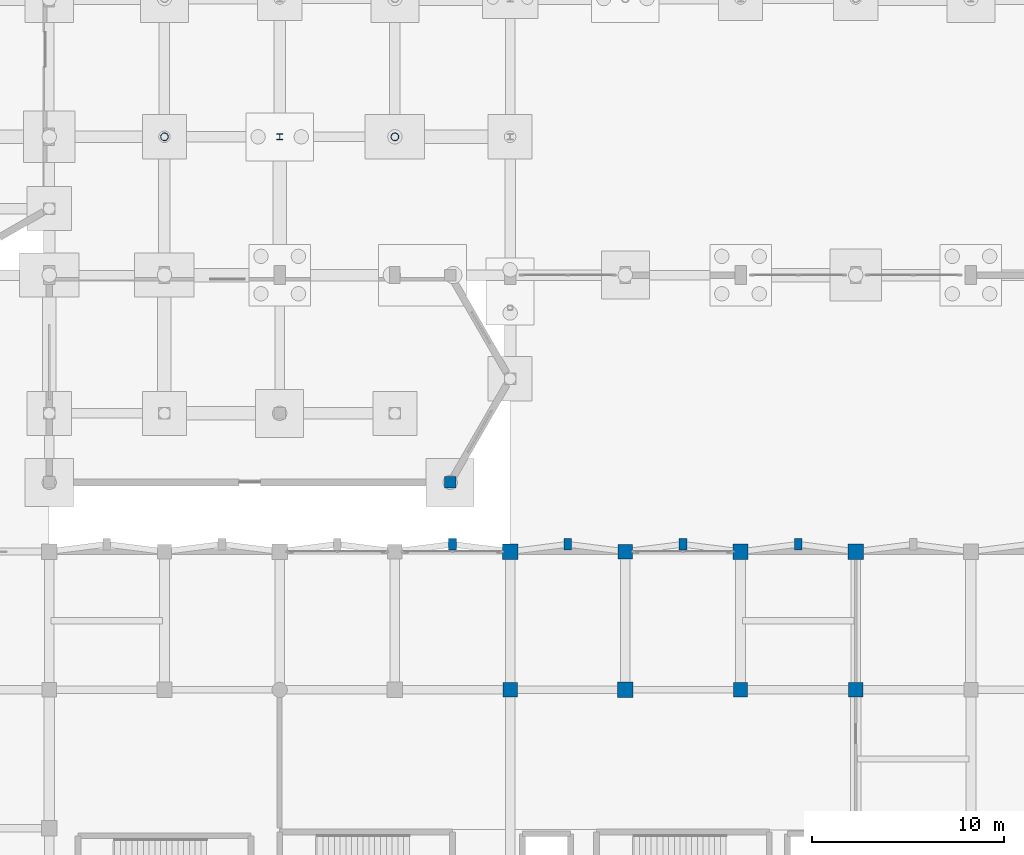
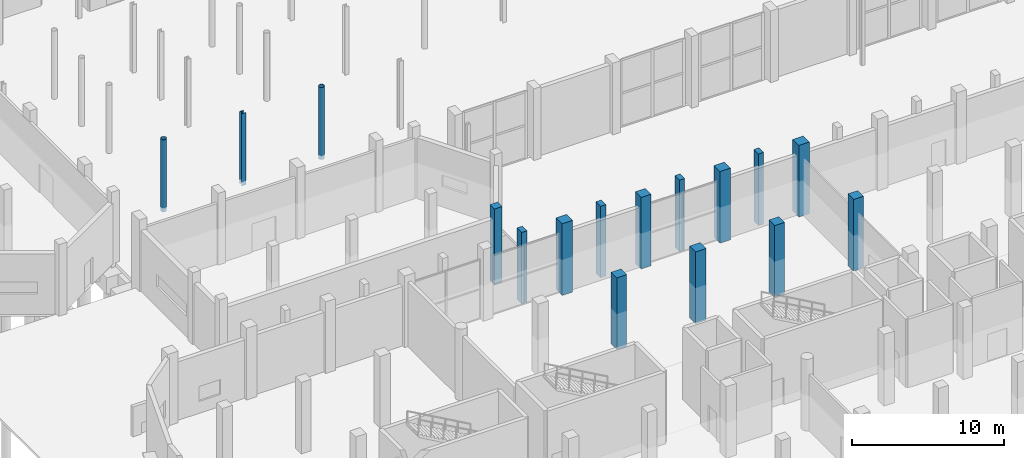
# One storey, part 15 of 103: 16 columns.
"""IFC4 building model written with IfcOpenShell, lengths in metres."""

from ifc_helpers import new_model, si_unit, direction, frame, origin, origin_2d, place, context, subcontext, project, spatial, rectangle, hollow_circle, i_section, extrude, material, material_profile, profile_set, type_object, element, save


model = new_model("IFC4")

# Units and contexts
model_context = context("Model", 3, precision=1e-05, world=origin(), true_north=direction((0.0, 1.0)))
body_context = subcontext(model_context, "Body", "Model", "MODEL_VIEW")
ifc_project = project(units=[si_unit("LENGTHUNIT", "METRE"), si_unit("AREAUNIT", "SQUARE_METRE"), si_unit("VOLUMEUNIT", "CUBIC_METRE"), si_unit("PLANEANGLEUNIT", "RADIAN"), si_unit("MASSUNIT", "GRAM", prefix="KILO")], contexts=[model_context])

# Site, building, storey
site_placement = place(None, origin())
site = spatial("IfcSite", under=ifc_project, at=site_placement, CompositionType="ELEMENT")
building_placement = place(site_placement, origin())
building = spatial("IfcBuilding", under=site, at=building_placement, Name="Dunvalen Ferry Terminal", CompositionType="ELEMENT")
storey_placement = place(building_placement, origin())
storey = spatial("IfcBuildingStorey", under=building, at=storey_placement, Name="L00", CompositionType="ELEMENT", Elevation=0.0)

# Columns
ifc_material_1 = material(Name="Steel S355", Category="steel")
ifc_material_profile_1 = material_profile(ifc_material_1, hollow_circle(Radius=0.203125, WallThickness=0.01611328125, at=origin_2d()), Name="Steel S355")
ifc_profile_set_1 = profile_set([ifc_material_profile_1], Name="Steel S355")
column_type_1 = type_object("IfcColumnType", Name="STR-COL-CHS406", PredefinedType="COLUMN", material=ifc_profile_set_1)
for number, where, z_axis, x_axis, name in (
    (1, (18.0, 57.60009765625, -0.320068359375), (0.0, 0.0, 1.0), (1.0, 0.0, 0.0), "L00 Waiting Lounge Mezzanine Column 18-57"),
    (2, (30.0, 57.60009765625, -0.320068359375), (0.0, 0.0, 1.0), (1.0, 0.0, 0.0), "L00 Waiting Lounge Mezzanine Column 30-57"),
):
    element("IfcColumn", number, at=place(storey_placement, frame(where, z_axis=z_axis, x_axis=x_axis)), inside=storey, type_object=column_type_1, Name=name, PredefinedType="COLUMN", context=body_context, shape_type="SweptSolid", body=[
        extrude(hollow_circle(Radius=0.203125, WallThickness=0.01611328125, at=origin_2d()), origin(), (0.0, 0.0, 1.0), 5.800048828125),
    ])
ifc_material_2 = material(Name="Concrete C40/50", Category="concrete")
ifc_material_profile_2 = material_profile(ifc_material_2, rectangle(XDim=0.60009765625, YDim=0.60009765625, at=origin_2d()), Name="Concrete C40/50")
ifc_profile_set_2 = profile_set([ifc_material_profile_2], Name="Concrete C40/50")
column_type_2 = type_object("IfcColumnType", Name="STR-COL-RC600", PredefinedType="COLUMN", material=ifc_profile_set_2)
column_1_placement = place(storey_placement, frame((32.882080078125, 39.60009765625, -0.320068359375), z_axis=(0.0, 0.0, 1.0), x_axis=(1.0, 0.0, 0.0)))
element("IfcColumn", 3, at=column_1_placement, inside=storey, type_object=column_type_2, Name="L00 South-West Security Annex Column 10", PredefinedType="COLUMN", context=body_context, shape_type="SweptSolid", body=[
    extrude(rectangle(XDim=0.60009765625, YDim=0.60009765625, at=origin_2d()), origin(), (0.0, 0.0, 1.0), 6.080078125),
])
ifc_material_profile_3 = material_profile(ifc_material_2, rectangle(XDim=0.75, YDim=0.75, at=origin_2d()), Name="Concrete C40/50")
ifc_profile_set_3 = profile_set([ifc_material_profile_3], Name="Concrete C40/50")
column_type_3 = type_object("IfcColumnType", Name="STR-COL-RC750", PredefinedType="COLUMN", material=ifc_profile_set_3)
for number, where, z_axis, x_axis, name in (
    (4, (36.0, 28.800048828125, 0.0), (0.0, 0.0, 1.0), (1.0, 0.0, 0.0), "L00 Maritime Wing Column 031"),
    (5, (42.0, 36.0, 0.0), (0.0, 0.0, 1.0), (1.0, 0.0, 0.0), "L00 Maritime Wing Column 037"),
    (6, (48.0, 28.800048828125, 0.0), (0.0, 0.0, 1.0), (1.0, 0.0, 0.0), "L00 Maritime Wing Column 041"),
    (7, (54.0, 28.800048828125, 0.0), (0.0, 0.0, 1.0), (1.0, 0.0, 0.0), "L00 Maritime Wing Column 047"),
):
    element("IfcColumn", number, at=place(storey_placement, frame(where, z_axis=z_axis, x_axis=x_axis)), inside=storey, type_object=column_type_3, Name=name, PredefinedType="COLUMN", context=body_context, shape_type="SweptSolid", body=[
        extrude(rectangle(XDim=0.75, YDim=0.75, at=origin_2d()), origin(), (0.0, 0.0, 1.0), 5.760009765625),
    ])
ifc_material_profile_4 = material_profile(ifc_material_2, rectangle(XDim=0.800048828125, YDim=0.800048828125, at=origin_2d()), Name="Concrete C40/50")
ifc_profile_set_4 = profile_set([ifc_material_profile_4], Name="Concrete C40/50")
column_type_4 = type_object("IfcColumnType", Name="STR-COL-RC800", PredefinedType="COLUMN", material=ifc_profile_set_4)
for number, where, z_axis, x_axis, name in (
    (8, (36.0, 36.0, 0.0), (0.0, 0.0, 1.0), (1.0, 0.0, 0.0), "L00 Maritime Wing Column 032"),
    (9, (42.0, 28.800048828125, 0.0), (0.0, 0.0, 1.0), (1.0, 0.0, 0.0), "L00 Maritime Wing Column 036"),
    (10, (48.0, 36.0, 0.0), (0.0, 0.0, 1.0), (1.0, 0.0, 0.0), "L00 Maritime Wing Column 042"),
    (11, (54.0, 36.0, 0.0), (0.0, 0.0, 1.0), (1.0, 0.0, 0.0), "L00 Maritime Wing Column 048"),
):
    element("IfcColumn", number, at=place(storey_placement, frame(where, z_axis=z_axis, x_axis=x_axis)), inside=storey, type_object=column_type_4, Name=name, PredefinedType="COLUMN", context=body_context, shape_type="SweptSolid", body=[
        extrude(rectangle(XDim=0.800048828125, YDim=0.800048828125, at=origin_2d()), origin(), (0.0, 0.0, 1.0), 5.760009765625),
    ])
ifc_material_profile_5 = material_profile(ifc_material_1, i_section(OverallWidth=0.30908203125, OverallDepth=0.320556640625, WebThickness=0.013916015625, FlangeThickness=0.021728515625, FilletRadius=0.01513671875, at=origin_2d()), Name="Steel S355")
ifc_profile_set_5 = profile_set([ifc_material_profile_5], Name="Steel S355")
column_type_5 = type_object("IfcColumnType", Name="STR-COL-UKC305", PredefinedType="COLUMN", material=ifc_profile_set_5)
column_2_placement = place(storey_placement, frame((24.0, 57.60009765625, -0.320068359375), z_axis=(0.0, 0.0, 1.0), x_axis=(1.0, 0.0, 0.0)))
element("IfcColumn", 12, at=column_2_placement, inside=storey, type_object=column_type_5, Name="L00 Waiting Lounge Mezzanine Column 24-57", PredefinedType="COLUMN", context=body_context, shape_type="SweptSolid", body=[
    extrude(i_section(OverallWidth=0.30908203125, OverallDepth=0.320556640625, WebThickness=0.013916015625, FlangeThickness=0.021728515625, FilletRadius=0.01513671875, at=origin_2d()), origin(), (0.0, 0.0, 1.0), 5.800048828125),
])
ifc_material_profile_6 = material_profile(ifc_material_2, rectangle(XDim=0.39990234375, YDim=0.60009765625, at=origin_2d()), Name="Concrete C40/50")
ifc_profile_set_6 = profile_set([ifc_material_profile_6], Name="Concrete C40/50")
column_type_6 = type_object("IfcColumnType", Name="STR-PIL-400x600", PredefinedType="PILASTER", material=ifc_profile_set_6)
for number, where, z_axis, x_axis, name in (
    (13, (33.0, 36.3798828125, 0.0), (0.0, 0.0, 1.0), (1.0, 0.0, 0.0), "L00 North Passage Pilaster 04"),
    (14, (39.0, 36.3798828125, 0.0), (0.0, 0.0, 1.0), (1.0, 0.0, 0.0), "L00 North Passage Pilaster 05"),
    (15, (45.0, 36.3798828125, 0.0), (0.0, 0.0, 1.0), (1.0, 0.0, 0.0), "L00 North Passage Pilaster 06"),
    (16, (51.0, 36.3798828125, 0.0), (0.0, 0.0, 1.0), (1.0, 0.0, 0.0), "L00 North Passage Pilaster 07"),
):
    element("IfcColumn", number, at=place(storey_placement, frame(where, z_axis=z_axis, x_axis=x_axis)), inside=storey, type_object=column_type_6, Name=name, PredefinedType="PILASTER", context=body_context, shape_type="SweptSolid", body=[
        extrude(rectangle(XDim=0.39990234375, YDim=0.60009765625, at=origin_2d()), origin(), (0.0, 0.0, 1.0), 5.760009765625),
    ])

save(model, "model.ifc")
